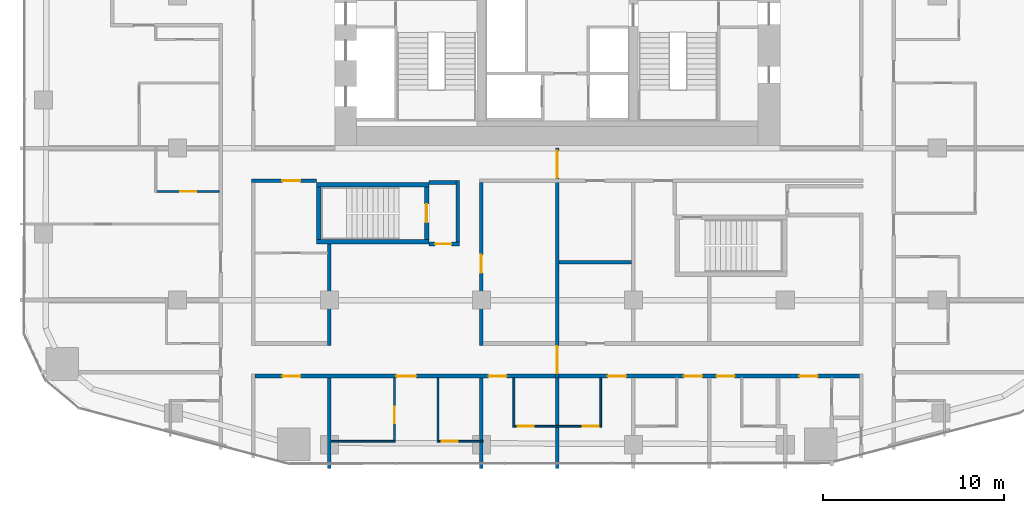
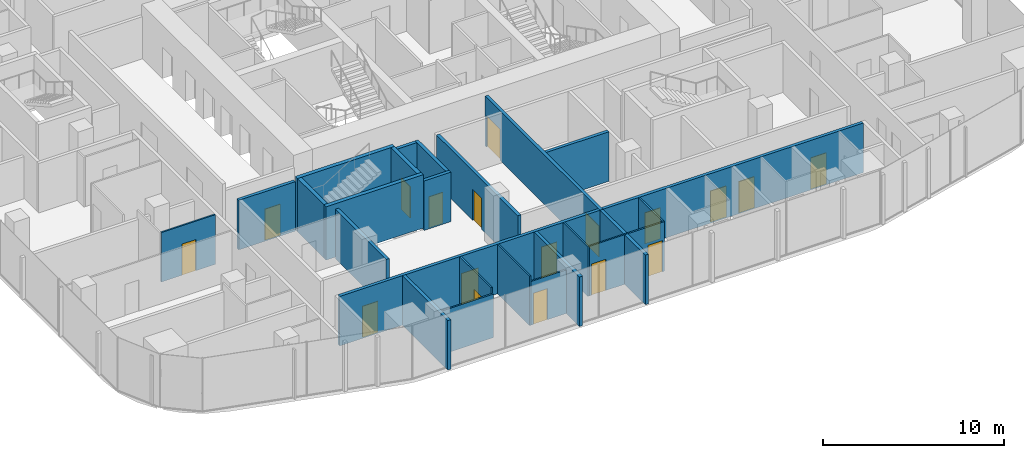
# One storey, part 16 of 26: 24 walls, 18 doors, 18 openings.
"""IFC4 building model written with IfcOpenShell, lengths in metres."""

from ifc_helpers import new_model, si_unit, direction, frame, frame_2d, origin, place, context, subcontext, project, spatial, rectangle, extrude, material, layer, layer_set, type_object, element, fill, save


model = new_model("IFC4")

# Units and contexts
model_context = context("Model", 3, precision=1e-05, world=origin(), true_north=direction((0.0, 1.0)))
body_context = subcontext(model_context, "Body", "Model", "MODEL_VIEW")
ifc_project = project(units=[si_unit("LENGTHUNIT", "METRE"), si_unit("AREAUNIT", "SQUARE_METRE"), si_unit("VOLUMEUNIT", "CUBIC_METRE"), si_unit("PLANEANGLEUNIT", "RADIAN"), si_unit("MASSUNIT", "GRAM", prefix="KILO")], contexts=[model_context])

# Site, building, storey
site_placement = place(None, origin())
site = spatial("IfcSite", under=ifc_project, at=site_placement, CompositionType="ELEMENT")
building_placement = place(site_placement, origin())
building = spatial("IfcBuilding", under=site, at=building_placement, Name="Marenta Gate Hotel Tower", CompositionType="ELEMENT")
storey_placement = place(building_placement, frame((0.0, 0.0, 65.300048828125)))
storey = spatial("IfcBuildingStorey", under=building, at=storey_placement, Name="L14", CompositionType="ELEMENT", Elevation=65.300048828125)

# Wall
ifc_material_1 = material(Name="Concrete blockwork", Category="masonry")
ifc_layer_1 = layer(ifc_material_1, 0.199951171875)
ifc_layer_set_1 = layer_set([ifc_layer_1], Name="Concrete blockwork")
wall_type_1 = type_object("IfcWallType", Name="Compartment wall 200 REI 180", PredefinedType="PARTITIONING", material=ifc_layer_set_1)
wall_1_placement = place(storey_placement, frame((0.0, -17.699951171875, 0.0), z_axis=(0.0, 0.0, 1.0), x_axis=(0.0, 1.0, 0.0)))
element("IfcWall", 1, at=wall_1_placement, inside=storey, type_object=wall_type_1, Name="L14-PTN-W071", PredefinedType="PARTITIONING", context=body_context, shape_type="SweptSolid", body=[
    extrude(rectangle(XDim=5.0, YDim=0.199951171875, at=frame_2d((2.5, 0.0))), origin(), (0.0, 0.0, 1.0), 3.33984375),
])

# Wall, openings, doors
wall_2_placement = place(storey_placement, frame((0.0, -12.699951171875, 0.0), z_axis=(0.0, 0.0, 1.0), x_axis=(0.0, 1.0, 0.0)))
wall_2 = element("IfcWall", 2, at=wall_2_placement, inside=storey, type_object=wall_type_1, Name="L14-PTN-W072", PredefinedType="PARTITIONING", context=body_context, shape_type="SweptSolid", body=[
    extrude(rectangle(XDim=12.699951171875, YDim=0.199951171875, at=frame_2d((6.35009765625, 0.0))), origin(), (0.0, 0.0, 1.0), 3.33984375),
])
opening_1_placement = place(wall_2_placement, frame((11.050048828125, 0.0, 0.0)))
opening_1 = element("IfcOpeningElement", 3, at=opening_1_placement, cuts=wall_2, Name="Opening G05-FD3", PredefinedType="OPENING", context=body_context, shape_type="SweptSolid", body=[
    extrude(rectangle(XDim=1.5, YDim=2.10009765625, at=frame_2d((0.75, 1.050048828125))), frame((0.0, 0.10009765625, 0.0), z_axis=(0.0, -1.0, 0.0), x_axis=(1.0, 0.0, 0.0)), (0.0, 0.0, 1.0), 0.199951171875),
])
opening_2_placement = place(wall_2_placement, frame((0.25, 0.0, 0.0)))
opening_2 = element("IfcOpeningElement", 4, at=opening_2_placement, cuts=wall_2, Name="Opening G05-FD4", PredefinedType="OPENING", context=body_context, shape_type="SweptSolid", body=[
    extrude(rectangle(XDim=1.5, YDim=2.10009765625, at=frame_2d((0.75, 1.050048828125))), frame((0.0, 0.10009765625, 0.0), z_axis=(0.0, -1.0, 0.0), x_axis=(1.0, 0.0, 0.0)), (0.0, 0.0, 1.0), 0.199951171875),
])
ifc_material_2 = material(Name="Hollow steel door set", Category="steel")
door_type_1 = type_object("IfcDoorType", Name="Compartment fire door 1500x2100 EI 60", OperationType="DOUBLE_DOOR_DOUBLE_SWING", PredefinedType="DOOR", material=ifc_material_2)
door_1_placement = place(opening_1_placement, origin())
door_1 = element("IfcDoor", 5, at=door_1_placement, inside=storey, type_object=door_type_1, Name="L14-PD-FD03", OperationType="DOUBLE_DOOR_DOUBLE_SWING", OverallHeight=2.10009765625, OverallWidth=1.5, PredefinedType="DOOR", context=body_context, shape_type="SweptSolid", body=[
    extrude(rectangle(XDim=1.5, YDim=2.10009765625, at=frame_2d((0.75, 1.050048828125))), frame((0.0, 0.02490234375, 0.0), z_axis=(0.0, -1.0, 0.0), x_axis=(1.0, 0.0, 0.0)), (0.0, 0.0, 1.0), 0.050048828125),
])
fill(opening_1, door_1)
door_2_placement = place(opening_2_placement, origin())
door_2 = element("IfcDoor", 6, at=door_2_placement, inside=storey, type_object=door_type_1, Name="L14-PD-FD04", OperationType="DOUBLE_DOOR_DOUBLE_SWING", OverallHeight=2.10009765625, OverallWidth=1.5, PredefinedType="DOOR", context=body_context, shape_type="SweptSolid", body=[
    extrude(rectangle(XDim=1.5, YDim=2.10009765625, at=frame_2d((0.75, 1.050048828125))), frame((0.0, 0.02490234375, 0.0), z_axis=(0.0, -1.0, 0.0), x_axis=(1.0, 0.0, 0.0)), (0.0, 0.0, 1.0), 0.050048828125),
])
fill(opening_2, door_2)

# Walls
ifc_material_3 = material(Name="Concrete C40", Category="concrete")
ifc_layer_2 = layer(ifc_material_3, 0.25)
ifc_layer_set_2 = layer_set([ifc_layer_2], Name="Concrete C40")
wall_type_2 = type_object("IfcWallType", Name="Remote stair enclosure wall 250 REI 180", PredefinedType="SHEAR", material=ifc_layer_set_2)
for number, where, z_axis, x_axis, name in (
    (7, (-13.300048828125, -5.175048828125, 0.099853515625), (0.0, 0.0, 1.0), (1.0, 0.0, 0.0), "L14-RS-Z1-2-W1"),
    (8, (-13.300048828125, -2.02490234375, 0.099853515625), (0.0, 0.0, 1.0), (1.0, 0.0, 0.0), "L14-RS-Z1-2-W2"),
):
    element("IfcWall", number, at=place(storey_placement, frame(where, z_axis=z_axis, x_axis=x_axis)), inside=storey, type_object=wall_type_2, Name=name, PredefinedType="SHEAR", context=body_context, shape_type="SweptSolid", body=[
        extrude(rectangle(XDim=6.199951171875, YDim=0.25, at=frame_2d((3.10009765625, 0.0))), origin(), (0.0, 0.0, 1.0), 3.60009765625),
    ])
wall_3_placement = place(storey_placement, frame((-13.175048828125, -5.050048828125, 0.099853515625), z_axis=(0.0, 0.0, 1.0), x_axis=(0.0, 1.0, 0.0)))
element("IfcWall", 9, at=wall_3_placement, inside=storey, type_object=wall_type_2, Name="L14-RS-Z1-2-W3", PredefinedType="SHEAR", context=body_context, shape_type="SweptSolid", body=[
    extrude(rectangle(XDim=2.900146484375, YDim=0.25, at=frame_2d((1.4501953125, 0.0))), origin(), (0.0, 0.0, 1.0), 3.60009765625),
])

# Wall, opening, door
wall_4_placement = place(storey_placement, frame((-7.22509765625, -5.050048828125, 0.099853515625), z_axis=(0.0, 0.0, 1.0), x_axis=(0.0, 1.0, 0.0)))
wall_4 = element("IfcWall", 10, at=wall_4_placement, inside=storey, type_object=wall_type_2, Name="L14-RS-Z1-2-W4", PredefinedType="SHEAR", context=body_context, shape_type="SweptSolid", body=[
    extrude(rectangle(XDim=2.900146484375, YDim=0.25, at=frame_2d((1.4501953125, 0.0))), origin(), (0.0, 0.0, 1.0), 3.60009765625),
])
opening_3_placement = place(wall_4_placement, frame((0.949951171875, 0.0, 0.0)))
opening_3 = element("IfcOpeningElement", 11, at=opening_3_placement, cuts=wall_4, Name="Opening VD", PredefinedType="OPENING", context=body_context, shape_type="SweptSolid", body=[
    extrude(rectangle(XDim=1.0, YDim=2.10009765625, at=frame_2d((0.5, 1.050048828125))), frame((0.0, 0.125, 0.0), z_axis=(0.0, -1.0, 0.0), x_axis=(1.0, 0.0, 0.0)), (0.0, 0.0, 1.0), 0.25),
])
ifc_material_4 = material(Name="Steel", Category="steel")
door_type_2 = type_object("IfcDoorType", Name="Stair vestibule door 1000x2100 FD60", OperationType="SINGLE_SWING_LEFT", PredefinedType="DOOR", material=ifc_material_4)
door_3_placement = place(opening_3_placement, origin())
door_3 = element("IfcDoor", 12, at=door_3_placement, inside=storey, type_object=door_type_2, Name="VD", OperationType="SINGLE_SWING_LEFT", OverallHeight=2.10009765625, OverallWidth=1.0, PredefinedType="DOOR", context=body_context, shape_type="SweptSolid", body=[
    extrude(rectangle(XDim=1.0, YDim=2.10009765625, at=frame_2d((0.5, 1.050048828125))), frame((0.0, 0.02490234375, 0.0), z_axis=(0.0, -1.0, 0.0), x_axis=(1.0, 0.0, 0.0)), (0.0, 0.0, 1.0), 0.050048828125),
])
fill(opening_3, door_3)

# Wall, openings, doors
ifc_material_5 = material(Name="Gypsum board on steel stud", Category="steel")
ifc_layer_3 = layer(ifc_material_5, 0.199951171875)
ifc_layer_set_3 = layer_set([ifc_layer_3], Name="Gypsum board on steel stud")
wall_type_3 = type_object("IfcWallType", Name="Room corridor wall 200 EI 60", PredefinedType="PARTITIONING", material=ifc_layer_set_3)
wall_5_placement = place(storey_placement, frame((-16.699951171875, -12.60009765625, 0.0), z_axis=(0.0, 0.0, 1.0), x_axis=(1.0, 0.0, 0.0)))
wall_5 = element("IfcWall", 13, at=wall_5_placement, inside=storey, type_object=wall_type_3, Name="L14-PTN-W034", PredefinedType="PARTITIONING", context=body_context, shape_type="SweptSolid", body=[
    extrude(rectangle(XDim=33.39990234375, YDim=0.199951171875, at=frame_2d((16.699951171875, 0.0))), origin(), (0.0, 0.0, 1.0), 3.33984375),
])
opening_4_placement = place(wall_5_placement, frame((1.5, 0.0, 0.0)))
opening_4 = element("IfcOpeningElement", 14, at=opening_4_placement, cuts=wall_5, Name="Opening G05-35", PredefinedType="OPENING", context=body_context, shape_type="SweptSolid", body=[
    extrude(rectangle(XDim=1.0, YDim=2.10009765625, at=frame_2d((0.5, 1.050048828125))), frame((0.0, 0.10009765625, 0.0), z_axis=(0.0, -1.0, 0.0), x_axis=(1.0, 0.0, 0.0)), (0.0, 0.0, 1.0), 0.199951171875),
])
opening_5_placement = place(wall_5_placement, frame((7.800048828125, 0.0, 0.0)))
opening_5 = element("IfcOpeningElement", 15, at=opening_5_placement, cuts=wall_5, Name="Opening G05-36", PredefinedType="OPENING", context=body_context, shape_type="SweptSolid", body=[
    extrude(rectangle(XDim=1.10009765625, YDim=2.10009765625, at=frame_2d((0.550048828125, 1.050048828125))), frame((0.0, 0.10009765625, 0.0), z_axis=(0.0, -1.0, 0.0), x_axis=(1.0, 0.0, 0.0)), (0.0, 0.0, 1.0), 0.199951171875),
])
opening_6_placement = place(wall_5_placement, frame((12.89990234375, 0.0, 0.0)))
opening_6 = element("IfcOpeningElement", 16, at=opening_6_placement, cuts=wall_5, Name="Opening G05-39", PredefinedType="OPENING", context=body_context, shape_type="SweptSolid", body=[
    extrude(rectangle(XDim=1.0, YDim=2.10009765625, at=frame_2d((0.5, 1.050048828125))), frame((0.0, 0.10009765625, 0.0), z_axis=(0.0, -1.0, 0.0), x_axis=(1.0, 0.0, 0.0)), (0.0, 0.0, 1.0), 0.199951171875),
])
opening_7_placement = place(wall_5_placement, frame((19.5, 0.0, 0.0)))
opening_7 = element("IfcOpeningElement", 17, at=opening_7_placement, cuts=wall_5, Name="Opening G05-41", PredefinedType="OPENING", context=body_context, shape_type="SweptSolid", body=[
    extrude(rectangle(XDim=1.0, YDim=2.10009765625, at=frame_2d((0.5, 1.050048828125))), frame((0.0, 0.10009765625, 0.0), z_axis=(0.0, -1.0, 0.0), x_axis=(1.0, 0.0, 0.0)), (0.0, 0.0, 1.0), 0.199951171875),
])
opening_8_placement = place(wall_5_placement, frame((23.699951171875, 0.0, 0.0)))
opening_8 = element("IfcOpeningElement", 18, at=opening_8_placement, cuts=wall_5, Name="Opening G05-43", PredefinedType="OPENING", context=body_context, shape_type="SweptSolid", body=[
    extrude(rectangle(XDim=1.0, YDim=2.10009765625, at=frame_2d((0.5, 1.050048828125))), frame((0.0, 0.10009765625, 0.0), z_axis=(0.0, -1.0, 0.0), x_axis=(1.0, 0.0, 0.0)), (0.0, 0.0, 1.0), 0.199951171875),
])
opening_9_placement = place(wall_5_placement, frame((25.5, 0.0, 0.0)))
opening_9 = element("IfcOpeningElement", 19, at=opening_9_placement, cuts=wall_5, Name="Opening G05-45", PredefinedType="OPENING", context=body_context, shape_type="SweptSolid", body=[
    extrude(rectangle(XDim=1.0, YDim=2.10009765625, at=frame_2d((0.5, 1.050048828125))), frame((0.0, 0.10009765625, 0.0), z_axis=(0.0, -1.0, 0.0), x_axis=(1.0, 0.0, 0.0)), (0.0, 0.0, 1.0), 0.199951171875),
])
opening_10_placement = place(wall_5_placement, frame((30.0830078125, 0.0, 0.0)))
opening_10 = element("IfcOpeningElement", 20, at=opening_10_placement, cuts=wall_5, Name="Opening G05-83", PredefinedType="OPENING", context=body_context, shape_type="SweptSolid", body=[
    extrude(rectangle(XDim=1.0, YDim=2.10009765625, at=frame_2d((0.5, 1.050048828125))), frame((0.0, 0.10009765625, 0.0), z_axis=(0.0, -1.0, 0.0), x_axis=(1.0, 0.0, 0.0)), (0.0, 0.0, 1.0), 0.199951171875),
])
ifc_material_6 = material(Name="Timber door leaf", Category="wood")
door_type_3 = type_object("IfcDoorType", Name="Guest room door 1000x2100 EI 30", OperationType="NOTDEFINED", PredefinedType="DOOR", material=ifc_material_6)
door_4_placement = place(opening_6_placement, origin())
door_4 = element("IfcDoor", 21, at=door_4_placement, inside=storey, type_object=door_type_3, Name="L14-PD-D039", OperationType="SINGLE_SWING_LEFT", OverallHeight=2.10009765625, OverallWidth=1.0, PredefinedType="DOOR", context=body_context, shape_type="SweptSolid", body=[
    extrude(rectangle(XDim=1.0, YDim=2.10009765625, at=frame_2d((0.5, 1.050048828125))), frame((0.0, 0.02490234375, 0.0), z_axis=(0.0, -1.0, 0.0), x_axis=(1.0, 0.0, 0.0)), (0.0, 0.0, 1.0), 0.050048828125),
])
fill(opening_6, door_4)
door_5_placement = place(opening_7_placement, origin())
door_5 = element("IfcDoor", 22, at=door_5_placement, inside=storey, type_object=door_type_3, Name="L14-PD-D041", OperationType="SINGLE_SWING_LEFT", OverallHeight=2.10009765625, OverallWidth=1.0, PredefinedType="DOOR", context=body_context, shape_type="SweptSolid", body=[
    extrude(rectangle(XDim=1.0, YDim=2.10009765625, at=frame_2d((0.5, 1.050048828125))), frame((0.0, 0.02490234375, 0.0), z_axis=(0.0, -1.0, 0.0), x_axis=(1.0, 0.0, 0.0)), (0.0, 0.0, 1.0), 0.050048828125),
])
fill(opening_7, door_5)
door_6_placement = place(opening_8_placement, origin())
door_6 = element("IfcDoor", 23, at=door_6_placement, inside=storey, type_object=door_type_3, Name="L14-PD-D043", OperationType="SINGLE_SWING_LEFT", OverallHeight=2.10009765625, OverallWidth=1.0, PredefinedType="DOOR", context=body_context, shape_type="SweptSolid", body=[
    extrude(rectangle(XDim=1.0, YDim=2.10009765625, at=frame_2d((0.5, 1.050048828125))), frame((0.0, 0.02490234375, 0.0), z_axis=(0.0, -1.0, 0.0), x_axis=(1.0, 0.0, 0.0)), (0.0, 0.0, 1.0), 0.050048828125),
])
fill(opening_8, door_6)
door_7_placement = place(opening_9_placement, origin())
door_7 = element("IfcDoor", 24, at=door_7_placement, inside=storey, type_object=door_type_3, Name="L14-PD-D045", OperationType="SINGLE_SWING_LEFT", OverallHeight=2.10009765625, OverallWidth=1.0, PredefinedType="DOOR", context=body_context, shape_type="SweptSolid", body=[
    extrude(rectangle(XDim=1.0, YDim=2.10009765625, at=frame_2d((0.5, 1.050048828125))), frame((0.0, 0.02490234375, 0.0), z_axis=(0.0, -1.0, 0.0), x_axis=(1.0, 0.0, 0.0)), (0.0, 0.0, 1.0), 0.050048828125),
])
fill(opening_9, door_7)
door_8_placement = place(opening_10_placement, origin())
door_8 = element("IfcDoor", 25, at=door_8_placement, inside=storey, type_object=door_type_3, Name="L14-PD-D083", OperationType="SINGLE_SWING_LEFT", OverallHeight=2.10009765625, OverallWidth=1.0, PredefinedType="DOOR", context=body_context, shape_type="SweptSolid", body=[
    extrude(rectangle(XDim=1.0, YDim=2.10009765625, at=frame_2d((0.5, 1.050048828125))), frame((0.0, 0.02490234375, 0.0), z_axis=(0.0, -1.0, 0.0), x_axis=(1.0, 0.0, 0.0)), (0.0, 0.0, 1.0), 0.050048828125),
])
fill(opening_10, door_8)
ifc_material_7 = material(Name="Timber door leaf", Category="wood")
door_type_4 = type_object("IfcDoorType", Name="Guest room door 1100x2100 EI 30", OperationType="NOTDEFINED", PredefinedType="DOOR", material=ifc_material_7)
door_9_placement = place(opening_5_placement, origin())
door_9 = element("IfcDoor", 26, at=door_9_placement, inside=storey, type_object=door_type_4, Name="L14-PD-D036", OperationType="SINGLE_SWING_RIGHT", OverallHeight=2.10009765625, OverallWidth=1.10009765625, PredefinedType="DOOR", context=body_context, shape_type="SweptSolid", body=[
    extrude(rectangle(XDim=1.10009765625, YDim=2.10009765625, at=frame_2d((0.550048828125, 1.050048828125))), frame((0.0, 0.02490234375, 0.0), z_axis=(0.0, -1.0, 0.0), x_axis=(1.0, 0.0, 0.0)), (0.0, 0.0, 1.0), 0.050048828125),
])
fill(opening_5, door_9)
ifc_material_8 = material(Name="Timber door leaf", Category="wood")
door_type_5 = type_object("IfcDoorType", Name="Room amenity door 1000x2100 EI 30", OperationType="NOTDEFINED", PredefinedType="DOOR", material=ifc_material_8)
door_10_placement = place(opening_4_placement, origin())
door_10 = element("IfcDoor", 27, at=door_10_placement, inside=storey, type_object=door_type_5, Name="L14-PD-D035", OperationType="SINGLE_SWING_RIGHT", OverallHeight=2.10009765625, OverallWidth=1.0, PredefinedType="DOOR", context=body_context, shape_type="SweptSolid", body=[
    extrude(rectangle(XDim=1.0, YDim=2.10009765625, at=frame_2d((0.5, 1.050048828125))), frame((0.0, 0.02490234375, 0.0), z_axis=(0.0, -1.0, 0.0), x_axis=(1.0, 0.0, 0.0)), (0.0, 0.0, 1.0), 0.050048828125),
])
fill(opening_4, door_10)

# Wall, opening, door
wall_6_placement = place(storey_placement, frame((-16.89990234375, -1.800048828125, 0.0), z_axis=(0.0, 0.0, 1.0), x_axis=(1.0, 0.0, 0.0)))
wall_6 = element("IfcWall", 28, at=wall_6_placement, inside=storey, type_object=wall_type_3, Name="L14-PTN-W068", PredefinedType="PARTITIONING", context=body_context, shape_type="SweptSolid", body=[
    extrude(rectangle(XDim=3.599853515625, YDim=0.199951171875, at=frame_2d((1.7998046875, 0.0))), origin(), (0.0, 0.0, 1.0), 3.33984375),
])
opening_11_placement = place(wall_6_placement, frame((1.699951171875, 0.0, 0.0)))
opening_11 = element("IfcOpeningElement", 29, at=opening_11_placement, cuts=wall_6, Name="Opening G05-02", PredefinedType="OPENING", context=body_context, shape_type="SweptSolid", body=[
    extrude(rectangle(XDim=1.0, YDim=2.10009765625, at=frame_2d((0.5, 1.050048828125))), frame((0.0, 0.10009765625, 0.0), z_axis=(0.0, -1.0, 0.0), x_axis=(1.0, 0.0, 0.0)), (0.0, 0.0, 1.0), 0.199951171875),
])
ifc_material_9 = material(Name="Hollow steel door set", Category="steel")
door_type_6 = type_object("IfcDoorType", Name="Room service door 1000x2100 EI 30", OperationType="NOTDEFINED", PredefinedType="DOOR", material=ifc_material_9)
door_11_placement = place(opening_11_placement, origin())
door_11 = element("IfcDoor", 30, at=door_11_placement, inside=storey, type_object=door_type_6, Name="L14-PD-D002", OperationType="SINGLE_SWING_RIGHT", OverallHeight=2.10009765625, OverallWidth=1.0, PredefinedType="DOOR", context=body_context, shape_type="SweptSolid", body=[
    extrude(rectangle(XDim=1.0, YDim=2.10009765625, at=frame_2d((0.5, 1.050048828125))), frame((0.0, 0.02490234375, 0.0), z_axis=(0.0, -1.0, 0.0), x_axis=(1.0, 0.0, 0.0)), (0.0, 0.0, 1.0), 0.050048828125),
])
fill(opening_11, door_11)

wall_7_placement = place(storey_placement, frame((-4.199951171875, -10.89990234375, 0.0), z_axis=(0.0, 0.0, 1.0), x_axis=(0.0, 1.0, 0.0)))
wall_7 = element("IfcWall", 31, at=wall_7_placement, inside=storey, type_object=wall_type_3, Name="L14-PTN-W083", PredefinedType="PARTITIONING", context=body_context, shape_type="SweptSolid", body=[
    extrude(rectangle(XDim=9.0, YDim=0.199951171875, at=frame_2d((4.5, 0.0))), origin(), (0.0, 0.0, 1.0), 3.33984375),
])
opening_12_placement = place(wall_7_placement, frame((4.0, 0.0, 0.0)))
opening_12 = element("IfcOpeningElement", 32, at=opening_12_placement, cuts=wall_7, Name="Opening G05-78", PredefinedType="OPENING", context=body_context, shape_type="SweptSolid", body=[
    extrude(rectangle(XDim=1.0, YDim=2.10009765625, at=frame_2d((0.5, 1.050048828125))), frame((0.0, 0.10009765625, 0.0), z_axis=(0.0, -1.0, 0.0), x_axis=(1.0, 0.0, 0.0)), (0.0, 0.0, 1.0), 0.199951171875),
])
door_12_placement = place(opening_12_placement, origin())
door_12 = element("IfcDoor", 33, at=door_12_placement, inside=storey, type_object=door_type_5, Name="L14-PD-D078", OperationType="SINGLE_SWING_LEFT", OverallHeight=2.10009765625, OverallWidth=1.0, PredefinedType="DOOR", context=body_context, shape_type="SweptSolid", body=[
    extrude(rectangle(XDim=1.0, YDim=2.10009765625, at=frame_2d((0.5, 1.050048828125))), frame((0.0, 0.02490234375, 0.0), z_axis=(0.0, -1.0, 0.0), x_axis=(1.0, 0.0, 0.0)), (0.0, 0.0, 1.0), 0.050048828125),
])
fill(opening_12, door_12)

# Wall
wall_8_placement = place(storey_placement, frame((-12.60009765625, -10.89990234375, 0.0), z_axis=(0.0, 0.0, 1.0), x_axis=(0.0, 1.0, 0.0)))
element("IfcWall", 34, at=wall_8_placement, inside=storey, type_object=wall_type_3, Name="L14-PTN-W100", PredefinedType="PARTITIONING", context=body_context, shape_type="SweptSolid", body=[
    extrude(rectangle(XDim=5.599853515625, YDim=0.199951171875, at=frame_2d((2.7998046875, 0.0))), origin(), (0.0, 0.0, 1.0), 3.33984375),
])

# Wall, opening, door
ifc_material_10 = material(Name="Concrete blockwork", Category="masonry")
ifc_layer_4 = layer(ifc_material_10, 0.199951171875)
ifc_layer_set_4 = layer_set([ifc_layer_4], Name="Concrete blockwork")
wall_type_4 = type_object("IfcWallType", Name="Room corridor wall 200 REI 180", PredefinedType="PARTITIONING", material=ifc_layer_set_4)
wall_9_placement = place(storey_placement, frame((-7.10009765625, -5.300048828125, 0.0), z_axis=(0.0, 0.0, 1.0), x_axis=(1.0, 0.0, 0.0)))
wall_9 = element("IfcWall", 35, at=wall_9_placement, inside=storey, type_object=wall_type_4, Name="L14-PTN-W055", PredefinedType="PARTITIONING", context=body_context, shape_type="SweptSolid", body=[
    extrude(rectangle(XDim=1.7001953125, YDim=0.199951171875, at=frame_2d((0.85009765625, 0.0))), origin(), (0.0, 0.0, 1.0), 3.33984375),
])
opening_13_placement = place(wall_9_placement, frame((0.35009765625, 0.0, 0.0)))
opening_13 = element("IfcOpeningElement", 36, at=opening_13_placement, cuts=wall_9, Name="Opening G05-67", PredefinedType="OPENING", context=body_context, shape_type="SweptSolid", body=[
    extrude(rectangle(XDim=0.89990234375, YDim=2.10009765625, at=frame_2d((0.449951171875, 1.050048828125))), frame((0.0, 0.10009765625, 0.0), z_axis=(0.0, -1.0, 0.0), x_axis=(1.0, 0.0, 0.0)), (0.0, 0.0, 1.0), 0.199951171875),
])
ifc_material_11 = material(Name="Hollow steel door set", Category="steel")
door_type_7 = type_object("IfcDoorType", Name="Stair vestibule door 900x2100 EI 60", OperationType="NOTDEFINED", PredefinedType="DOOR", material=ifc_material_11)
door_13_placement = place(opening_13_placement, origin())
door_13 = element("IfcDoor", 37, at=door_13_placement, inside=storey, type_object=door_type_7, Name="L14-PD-D067", OperationType="SINGLE_SWING_RIGHT", OverallHeight=2.10009765625, OverallWidth=0.89990234375, PredefinedType="DOOR", context=body_context, shape_type="SweptSolid", body=[
    extrude(rectangle(XDim=0.89990234375, YDim=2.10009765625, at=frame_2d((0.449951171875, 1.050048828125))), frame((0.0, 0.02490234375, 0.0), z_axis=(0.0, -1.0, 0.0), x_axis=(1.0, 0.0, 0.0)), (0.0, 0.0, 1.0), 0.050048828125),
])
fill(opening_13, door_13)

# Walls
wall_10_placement = place(storey_placement, frame((-7.10009765625, -1.89990234375, 0.0), z_axis=(0.0, 0.0, 1.0), x_axis=(1.0, 0.0, 0.0)))
element("IfcWall", 38, at=wall_10_placement, inside=storey, type_object=wall_type_4, Name="L14-PTN-W066", PredefinedType="PARTITIONING", context=body_context, shape_type="SweptSolid", body=[
    extrude(rectangle(XDim=1.5, YDim=0.199951171875, at=frame_2d((0.75, 0.0))), origin(), (0.0, 0.0, 1.0), 3.33984375),
])
wall_11_placement = place(storey_placement, frame((-5.5, -5.199951171875, 0.0), z_axis=(0.0, 0.0, 1.0), x_axis=(0.0, 1.0, 0.0)))
element("IfcWall", 39, at=wall_11_placement, inside=storey, type_object=wall_type_4, Name="L14-PTN-W084", PredefinedType="PARTITIONING", context=body_context, shape_type="SweptSolid", body=[
    extrude(rectangle(XDim=3.39990234375, YDim=0.199951171875, at=frame_2d((1.699951171875, 0.0))), origin(), (0.0, 0.0, 1.0), 3.33984375),
])
ifc_material_12 = material(Name="Gypsum board on steel stud", Category="steel")
ifc_layer_5 = layer(ifc_material_12, 0.10009765625)
ifc_layer_set_5 = layer_set([ifc_layer_5], Name="Gypsum board on steel stud")
wall_type_5 = type_object("IfcWallType", Name="Room partition 100", PredefinedType="PARTITIONING", material=ifc_layer_set_5)
wall_12_placement = place(storey_placement, frame((-12.5, -16.199951171875, 0.0), z_axis=(0.0, 0.0, 1.0), x_axis=(1.0, 0.0, 0.0)))
element("IfcWall", 40, at=wall_12_placement, inside=storey, type_object=wall_type_5, Name="L14-PTN-W019", PredefinedType="PARTITIONING", context=body_context, shape_type="SweptSolid", body=[
    extrude(rectangle(XDim=3.550048828125, YDim=0.10009765625, at=frame_2d((1.77490234375, 0.0))), origin(), (0.0, 0.0, 1.0), 2.93994140625),
])

# Wall, opening, door
wall_13_placement = place(storey_placement, frame((-6.550048828125, -16.199951171875, 0.0), z_axis=(0.0, 0.0, 1.0), x_axis=(1.0, 0.0, 0.0)))
wall_13 = element("IfcWall", 41, at=wall_13_placement, inside=storey, type_object=wall_type_5, Name="L14-PTN-W020", PredefinedType="PARTITIONING", context=body_context, shape_type="SweptSolid", body=[
    extrude(rectangle(XDim=2.449951171875, YDim=0.10009765625, at=frame_2d((1.22509765625, 0.0))), origin(), (0.0, 0.0, 1.0), 2.93994140625),
])
opening_14_placement = place(wall_13_placement, frame((0.14990234375, 0.0, 0.0)))
opening_14 = element("IfcOpeningElement", 42, at=opening_14_placement, cuts=wall_13, Name="Opening G05-38", PredefinedType="OPENING", context=body_context, shape_type="SweptSolid", body=[
    extrude(rectangle(XDim=0.89990234375, YDim=2.10009765625, at=frame_2d((0.449951171875, 1.050048828125))), frame((0.0, 0.050048828125, 0.0), z_axis=(0.0, -1.0, 0.0), x_axis=(1.0, 0.0, 0.0)), (0.0, 0.0, 1.0), 0.10009765625),
])
ifc_material_13 = material(Name="Timber door leaf", Category="wood")
door_type_8 = type_object("IfcDoorType", Name="Room inner door 900x2100", OperationType="NOTDEFINED", PredefinedType="DOOR", material=ifc_material_13)
door_14_placement = place(opening_14_placement, origin())
door_14 = element("IfcDoor", 43, at=door_14_placement, inside=storey, type_object=door_type_8, Name="L14-PD-D038", OperationType="SINGLE_SWING_LEFT", OverallHeight=2.10009765625, OverallWidth=0.89990234375, PredefinedType="DOOR", context=body_context, shape_type="SweptSolid", body=[
    extrude(rectangle(XDim=0.89990234375, YDim=2.10009765625, at=frame_2d((0.449951171875, 1.050048828125))), frame((0.0, 0.02490234375, 0.0), z_axis=(0.0, -1.0, 0.0), x_axis=(1.0, 0.0, 0.0)), (0.0, 0.0, 1.0), 0.050048828125),
])
fill(opening_14, door_14)

# Wall, openings, doors
wall_14_placement = place(storey_placement, frame((-2.35009765625, -15.375, 0.0), z_axis=(0.0, 0.0, 1.0), x_axis=(1.0, 0.0, 0.0)))
wall_14 = element("IfcWall", 44, at=wall_14_placement, inside=storey, type_object=wall_type_5, Name="L14-PTN-W021", PredefinedType="PARTITIONING", context=body_context, shape_type="SweptSolid", body=[
    extrude(rectangle(XDim=4.800048828125, YDim=0.10009765625, at=frame_2d((2.39990234375, 0.0))), origin(), (0.0, 0.0, 1.0), 3.33984375),
])
opening_15_placement = place(wall_14_placement, frame((0.14990234375, 0.0, 0.0)))
opening_15 = element("IfcOpeningElement", 45, at=opening_15_placement, cuts=wall_14, Name="Opening G05-40", PredefinedType="OPENING", context=body_context, shape_type="SweptSolid", body=[
    extrude(rectangle(XDim=0.89990234375, YDim=2.10009765625, at=frame_2d((0.449951171875, 1.050048828125))), frame((0.0, 0.050048828125, 0.0), z_axis=(0.0, -1.0, 0.0), x_axis=(1.0, 0.0, 0.0)), (0.0, 0.0, 1.0), 0.10009765625),
])
opening_16_placement = place(wall_14_placement, frame((3.75, 0.0, 0.0)))
opening_16 = element("IfcOpeningElement", 46, at=opening_16_placement, cuts=wall_14, Name="Opening G05-42", PredefinedType="OPENING", context=body_context, shape_type="SweptSolid", body=[
    extrude(rectangle(XDim=0.89990234375, YDim=2.10009765625, at=frame_2d((0.449951171875, 1.050048828125))), frame((0.0, 0.050048828125, 0.0), z_axis=(0.0, -1.0, 0.0), x_axis=(1.0, 0.0, 0.0)), (0.0, 0.0, 1.0), 0.10009765625),
])
ifc_material_14 = material(Name="Timber door leaf", Category="wood")
door_type_9 = type_object("IfcDoorType", Name="Guest bathroom door 900x2100", OperationType="NOTDEFINED", PredefinedType="DOOR", material=ifc_material_14)
door_15_placement = place(opening_15_placement, origin())
door_15 = element("IfcDoor", 47, at=door_15_placement, inside=storey, type_object=door_type_9, Name="L14-PD-D040", OperationType="SINGLE_SWING_LEFT", OverallHeight=2.10009765625, OverallWidth=0.89990234375, PredefinedType="DOOR", context=body_context, shape_type="SweptSolid", body=[
    extrude(rectangle(XDim=0.89990234375, YDim=2.10009765625, at=frame_2d((0.449951171875, 1.050048828125))), frame((0.0, 0.02490234375, 0.0), z_axis=(0.0, -1.0, 0.0), x_axis=(1.0, 0.0, 0.0)), (0.0, 0.0, 1.0), 0.050048828125),
])
fill(opening_15, door_15)
door_16_placement = place(opening_16_placement, origin())
door_16 = element("IfcDoor", 48, at=door_16_placement, inside=storey, type_object=door_type_9, Name="L14-PD-D042", OperationType="SINGLE_SWING_RIGHT", OverallHeight=2.10009765625, OverallWidth=0.89990234375, PredefinedType="DOOR", context=body_context, shape_type="SweptSolid", body=[
    extrude(rectangle(XDim=0.89990234375, YDim=2.10009765625, at=frame_2d((0.449951171875, 1.050048828125))), frame((0.0, 0.02490234375, 0.0), z_axis=(0.0, -1.0, 0.0), x_axis=(1.0, 0.0, 0.0)), (0.0, 0.0, 1.0), 0.050048828125),
])
fill(opening_16, door_16)

# Wall
wall_15_placement = place(storey_placement, frame((2.39990234375, -15.324951171875, 0.0), z_axis=(0.0, 0.0, 1.0), x_axis=(0.0, 1.0, 0.0)))
element("IfcWall", 49, at=wall_15_placement, inside=storey, type_object=wall_type_5, Name="L14-PTN-W063", PredefinedType="PARTITIONING", context=body_context, shape_type="SweptSolid", body=[
    extrude(rectangle(XDim=2.625, YDim=0.10009765625, at=frame_2d((1.3125, 0.0))), origin(), (0.0, 0.0, 1.0), 3.33984375),
])

# Wall, opening, door
wall_16_placement = place(storey_placement, frame((-22.14990234375, -2.39990234375, 0.0), z_axis=(0.0, 0.0, 1.0), x_axis=(1.0, 0.0, 0.0)))
wall_16 = element("IfcWall", 50, at=wall_16_placement, inside=storey, type_object=wall_type_5, Name="L14-PTN-W064", PredefinedType="PARTITIONING", context=body_context, shape_type="SweptSolid", body=[
    extrude(rectangle(XDim=3.449951171875, YDim=0.10009765625, at=frame_2d((1.72509765625, 0.0))), origin(), (0.0, 0.0, 1.0), 3.33984375),
])
opening_17_placement = place(wall_16_placement, frame((1.300048828125, 0.0, 0.0)))
opening_17 = element("IfcOpeningElement", 51, at=opening_17_placement, cuts=wall_16, Name="Opening G05-53", PredefinedType="OPENING", context=body_context, shape_type="SweptSolid", body=[
    extrude(rectangle(XDim=0.89990234375, YDim=2.10009765625, at=frame_2d((0.449951171875, 1.050048828125))), frame((0.0, 0.050048828125, 0.0), z_axis=(0.0, -1.0, 0.0), x_axis=(1.0, 0.0, 0.0)), (0.0, 0.0, 1.0), 0.10009765625),
])
door_17_placement = place(opening_17_placement, origin())
door_17 = element("IfcDoor", 52, at=door_17_placement, inside=storey, type_object=door_type_9, Name="L14-PD-D053", OperationType="SINGLE_SWING_RIGHT", OverallHeight=2.10009765625, OverallWidth=0.89990234375, PredefinedType="DOOR", context=body_context, shape_type="SweptSolid", body=[
    extrude(rectangle(XDim=0.89990234375, YDim=2.10009765625, at=frame_2d((0.449951171875, 1.050048828125))), frame((0.0, 0.02490234375, 0.0), z_axis=(0.0, -1.0, 0.0), x_axis=(1.0, 0.0, 0.0)), (0.0, 0.0, 1.0), 0.050048828125),
])
fill(opening_17, door_17)

# Walls
wall_17_placement = place(storey_placement, frame((-2.39990234375, -15.425048828125, 0.0), z_axis=(0.0, 0.0, 1.0), x_axis=(0.0, 1.0, 0.0)))
element("IfcWall", 53, at=wall_17_placement, inside=storey, type_object=wall_type_5, Name="L14-PTN-W077", PredefinedType="PARTITIONING", context=body_context, shape_type="SweptSolid", body=[
    extrude(rectangle(XDim=2.72509765625, YDim=0.10009765625, at=frame_2d((1.362548828125, 0.0))), origin(), (0.0, 0.0, 1.0), 3.33984375),
])
wall_18_placement = place(storey_placement, frame((-6.60009765625, -16.25, 0.0), z_axis=(0.0, 0.0, 1.0), x_axis=(0.0, 1.0, 0.0)))
element("IfcWall", 54, at=wall_18_placement, inside=storey, type_object=wall_type_5, Name="L14-PTN-W087", PredefinedType="PARTITIONING", context=body_context, shape_type="SweptSolid", body=[
    extrude(rectangle(XDim=3.550048828125, YDim=0.10009765625, at=frame_2d((1.77490234375, 0.0))), origin(), (0.0, 0.0, 1.0), 3.33984375),
])

# Wall, opening, door
wall_19_placement = place(storey_placement, frame((-9.0, -16.14990234375, 0.0), z_axis=(0.0, 0.0, 1.0), x_axis=(0.0, 1.0, 0.0)))
wall_19 = element("IfcWall", 55, at=wall_19_placement, inside=storey, type_object=wall_type_5, Name="L14-PTN-W093", PredefinedType="PARTITIONING", context=body_context, shape_type="SweptSolid", body=[
    extrude(rectangle(XDim=3.449951171875, YDim=0.10009765625, at=frame_2d((1.72509765625, 0.0))), origin(), (0.0, 0.0, 1.0), 3.33984375),
])
opening_18_placement = place(wall_19_placement, frame((0.93994140625, 0.0, 0.0)))
opening_18 = element("IfcOpeningElement", 56, at=opening_18_placement, cuts=wall_19, Name="Opening G05-37", PredefinedType="OPENING", context=body_context, shape_type="SweptSolid", body=[
    extrude(rectangle(XDim=0.89990234375, YDim=2.10009765625, at=frame_2d((0.449951171875, 1.050048828125))), frame((0.0, 0.050048828125, 0.0), z_axis=(0.0, -1.0, 0.0), x_axis=(1.0, 0.0, 0.0)), (0.0, 0.0, 1.0), 0.10009765625),
])
door_18_placement = place(opening_18_placement, origin())
door_18 = element("IfcDoor", 57, at=door_18_placement, inside=storey, type_object=door_type_9, Name="L14-PD-D037", OperationType="SINGLE_SWING_LEFT", OverallHeight=2.10009765625, OverallWidth=0.89990234375, PredefinedType="DOOR", context=body_context, shape_type="SweptSolid", body=[
    extrude(rectangle(XDim=0.89990234375, YDim=2.10009765625, at=frame_2d((0.449951171875, 1.050048828125))), frame((0.0, 0.02490234375, 0.0), z_axis=(0.0, -1.0, 0.0), x_axis=(1.0, 0.0, 0.0)), (0.0, 0.0, 1.0), 0.050048828125),
])
fill(opening_18, door_18)

# Walls
ifc_material_15 = material(Name="Gypsum board on steel stud", Category="steel")
ifc_layer_6 = layer(ifc_material_15, 0.199951171875)
ifc_layer_set_6 = layer_set([ifc_layer_6], Name="Gypsum board on steel stud")
wall_type_6 = type_object("IfcWallType", Name="Room party wall 200 EI 60", PredefinedType="PARTITIONING", material=ifc_layer_set_6)
wall_20_placement = place(storey_placement, frame((0.10009765625, -6.300048828125, 0.0), z_axis=(0.0, 0.0, 1.0), x_axis=(1.0, 0.0, 0.0)))
element("IfcWall", 58, at=wall_20_placement, inside=storey, type_object=wall_type_6, Name="L14-PTN-W052", PredefinedType="PARTITIONING", context=body_context, shape_type="SweptSolid", body=[
    extrude(rectangle(XDim=4.0, YDim=0.199951171875, at=frame_2d((2.0, 0.0))), origin(), (0.0, 0.0, 1.0), 3.33984375),
])
for number, where, z_axis, x_axis, name in (
    (59, (-4.199951171875, -17.699951171875, 0.0), (0.0, 0.0, 1.0), (0.0, 1.0, 0.0), "L14-PTN-W080"),
    (60, (-12.60009765625, -17.699951171875, 0.0), (0.0, 0.0, 1.0), (0.0, 1.0, 0.0), "L14-PTN-W097"),
):
    element("IfcWall", number, at=place(storey_placement, frame(where, z_axis=z_axis, x_axis=x_axis)), inside=storey, type_object=wall_type_6, Name=name, PredefinedType="PARTITIONING", context=body_context, shape_type="SweptSolid", body=[
        extrude(rectangle(XDim=5.0, YDim=0.199951171875, at=frame_2d((2.5, 0.0))), origin(), (0.0, 0.0, 1.0), 3.33984375),
    ])

save(model, "model.ifc")
